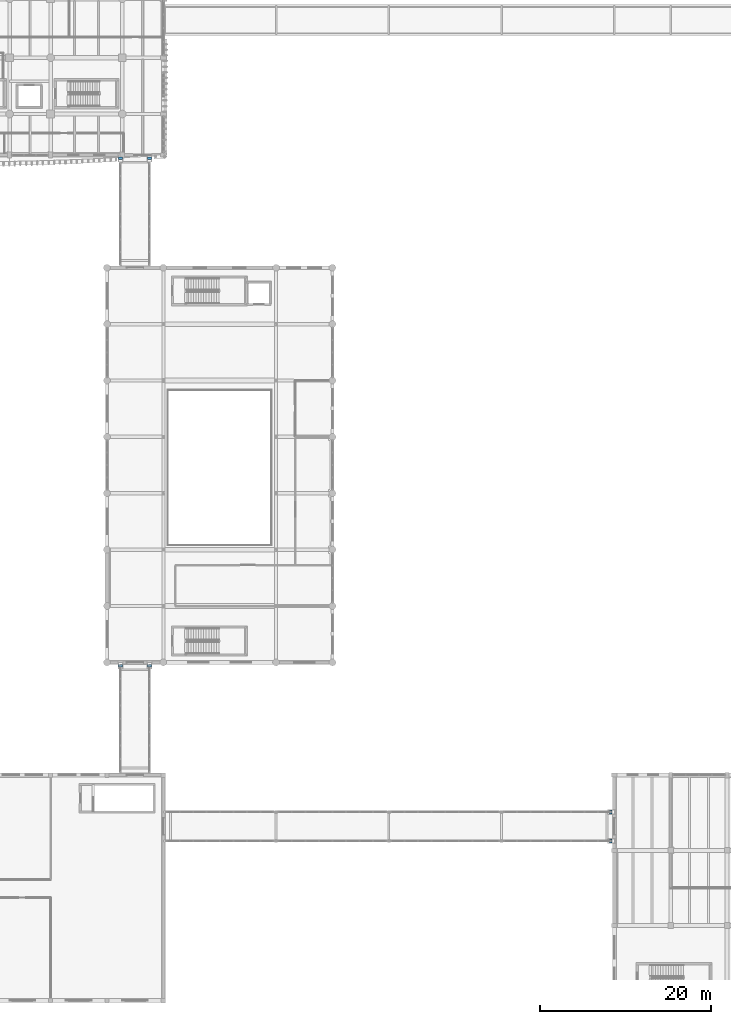
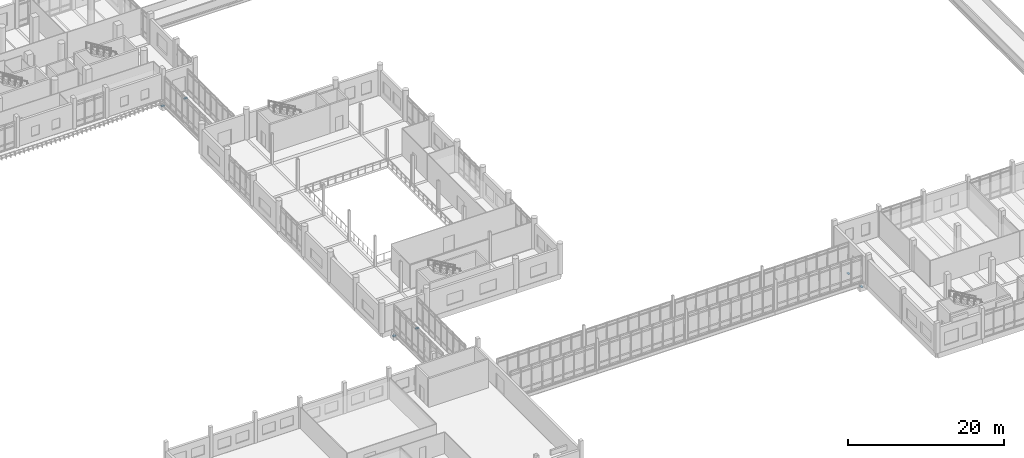
# One storey, part 80 of 101: 6 discrete accessories.
"""IFC4 building model written with IfcOpenShell, lengths in metres."""

from ifc_helpers import new_model, si_unit, direction, frame, origin, origin_2d, place, context, subcontext, project, spatial, rectangle, extrude, material, type_object, element, save


model = new_model("IFC4")

# Units and contexts
model_context = context("Model", 3, precision=1e-05, world=origin(), true_north=direction((0.0, 1.0)))
body_context = subcontext(model_context, "Body", "Model", "MODEL_VIEW")
ifc_project = project(units=[si_unit("LENGTHUNIT", "METRE"), si_unit("AREAUNIT", "SQUARE_METRE"), si_unit("VOLUMEUNIT", "CUBIC_METRE"), si_unit("PLANEANGLEUNIT", "RADIAN"), si_unit("MASSUNIT", "GRAM", prefix="KILO")], contexts=[model_context])

# Site, building, storey
site_placement = place(None, origin())
site = spatial("IfcSite", under=ifc_project, at=site_placement, CompositionType="ELEMENT")
building_placement = place(site_placement, origin())
building = spatial("IfcBuilding", under=site, at=building_placement, Name="Dornvale Research Institute", CompositionType="ELEMENT")
storey_placement = place(building_placement, frame((0.0, 0.0, 10.199951171875)))
storey = spatial("IfcBuildingStorey", under=building, at=storey_placement, Name="L02", CompositionType="ELEMENT", Elevation=10.199951171875)

# Discrete accessories
ifc_material = material(Name="Elastomeric PTFE Sliding Bearing Assembly")
discrete_accessory_type = type_object("IfcDiscreteAccessoryType", Name="Bracket_PTFE_Sliding_Seat", PredefinedType="BRACKET", material=ifc_material)
for number, where, z_axis, x_axis, name in (
    (1, (41.199951171875, 39.199951171875, -0.951904296875), (0.0, 0.0, 1.0), (1.0, 0.0, 0.0), "Unguided PTFE sliding bridge bearing BR-2-1"),
    (2, (44.60009765625, 39.199951171875, -0.951904296875), (0.0, 0.0, 1.0), (1.0, 0.0, 0.0), "Unguided PTFE sliding bridge bearing BR-2-2"),
    (3, (41.199951171875, 98.60009765625, -0.951904296875), (0.0, 0.0, 1.0), (1.0, 0.0, 0.0), "Unguided PTFE sliding bridge bearing BR-4-1"),
    (4, (44.60009765625, 98.60009765625, -0.951904296875), (0.0, 0.0, 1.0), (1.0, 0.0, 0.0), "Unguided PTFE sliding bridge bearing BR-4-2"),
):
    element("IfcDiscreteAccessory", number, at=place(storey_placement, frame(where, z_axis=z_axis, x_axis=x_axis)), inside=storey, type_object=discrete_accessory_type, Name=name, PredefinedType="BRACKET", context=body_context, shape_type="SweptSolid", body=[
        extrude(rectangle(XDim=0.449951171875, YDim=0.300048828125, at=origin_2d()), origin(), (0.0, 0.0, 1.0), 0.1201171875),
    ])
for number, where, z_axis, x_axis, name in (
    (5, (98.60009765625, 18.699951171875, -0.951904296875), (0.0, 0.0, 1.0), (1.0, 0.0, 0.0), "Unguided PTFE sliding bridge bearing BR-6-1"),
    (6, (98.60009765625, 22.10009765625, -0.951904296875), (0.0, 0.0, 1.0), (1.0, 0.0, 0.0), "Unguided PTFE sliding bridge bearing BR-6-2"),
):
    element("IfcDiscreteAccessory", number, at=place(storey_placement, frame(where, z_axis=z_axis, x_axis=x_axis)), inside=storey, type_object=discrete_accessory_type, Name=name, PredefinedType="BRACKET", context=body_context, shape_type="SweptSolid", body=[
        extrude(rectangle(XDim=0.300048828125, YDim=0.449951171875, at=origin_2d()), origin(), (0.0, 0.0, 1.0), 0.1201171875),
    ])

save(model, "model.ifc")
